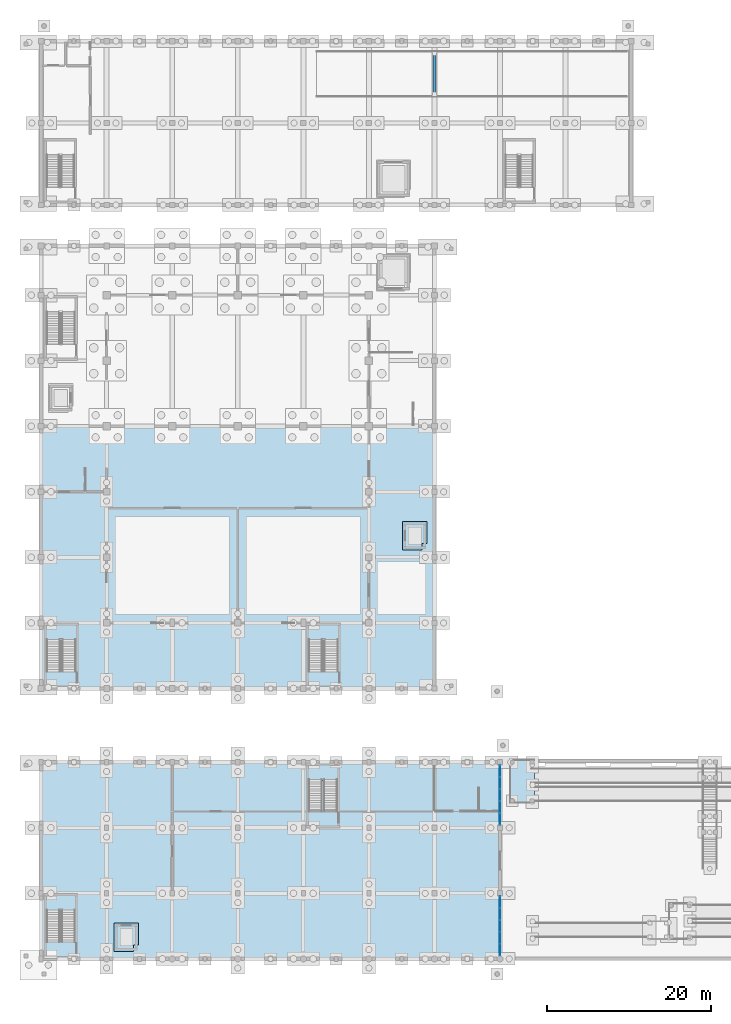
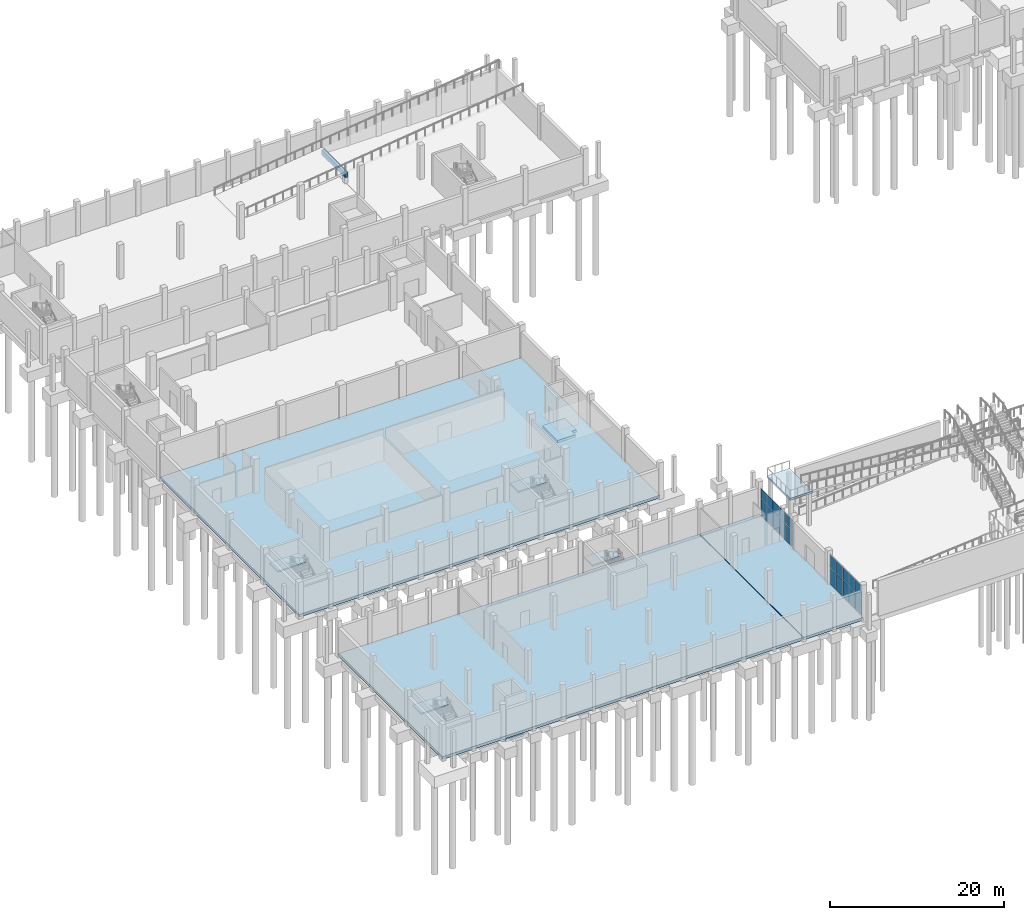
# One storey, part 22 of 52: 20 plates, 10 slabs, 1 beam, 7 elements without a shape of their own.
"""IFC4 building model written with IfcOpenShell, lengths in metres."""

from ifc_helpers import new_model, si_unit, direction, frame, origin, origin_2d, place, context, subcontext, project, spatial, polyline, rectangle, outline, extrude, material, layer, layer_set, material_profile, profile_set, type_object, element, aggregate, save


model = new_model("IFC4")

# Units and contexts
model_context = context("Model", 3, precision=1e-05, world=origin(), true_north=direction((0.0, 1.0)))
body_context = subcontext(model_context, "Body", "Model", "MODEL_VIEW")
ifc_project = project(units=[si_unit("LENGTHUNIT", "METRE"), si_unit("AREAUNIT", "SQUARE_METRE"), si_unit("VOLUMEUNIT", "CUBIC_METRE"), si_unit("PLANEANGLEUNIT", "RADIAN"), si_unit("MASSUNIT", "GRAM", prefix="KILO")], contexts=[model_context])

# Site, building, storey
site_placement = place(None, origin())
site = spatial("IfcSite", under=ifc_project, at=site_placement, CompositionType="ELEMENT")
building_placement = place(site_placement, origin())
building = spatial("IfcBuilding", under=site, at=building_placement, Name="Luwemba Playhouse", CompositionType="ELEMENT")
storey_placement = place(building_placement, frame((0.0, 0.0, -4.800048828125)))
storey = spatial("IfcBuildingStorey", under=building, at=storey_placement, Name="B1", CompositionType="ELEMENT", Elevation=-4.800048828125)

# Beam
ifc_material_1 = material(Name="Concrete C40/50", Category="concrete")
ifc_material_profile = material_profile(ifc_material_1, rectangle(XDim=0.39990234375, YDim=0.64990234375, at=origin_2d()))
ifc_profile_set = profile_set([ifc_material_profile], Name="Concrete C40/50")
beam_type = type_object("IfcBeamType", Name="BM-RB02", PredefinedType="BEAM", material=ifc_profile_set)
beam_placement = place(storey_placement, frame((52.0, 108.25, 1.195068359375), z_axis=(0.0, 1.0, 0.0), x_axis=(-1.0, 0.0, 0.0)))
element("IfcBeam", 1, at=beam_placement, inside=storey, type_object=beam_type, Name="B1 vehicle ramp Grid G support beam", PredefinedType="BEAM", context=body_context, shape_type="SweptSolid", body=[
    extrude(rectangle(XDim=0.39990234375, YDim=0.64990234375, at=origin_2d()), origin(), (0.0, 0.0, 1.0), 5.5),
])

# Curtain wall, plates
ifc_material_2 = material(Name="Solar-control double glazing", Category="glass")
curtain_wall_type_1 = type_object("IfcCurtainWallType", Name="CW-CW01", PredefinedType="USERDEFINED", material=ifc_material_2)
curtain_wall_1_placement = place(storey_placement, origin())
curtain_wall_1 = element("IfcCurtainWall", 2, at=curtain_wall_1_placement, inside=storey, type_object=curtain_wall_type_1, Name="B1 Sunken Forecourt curtain wall 001", ObjectType="UNITISED GLAZING", PredefinedType="USERDEFINED")
ifc_layer_1 = layer(ifc_material_2, 0.028076171875)
ifc_layer_set_1 = layer_set([ifc_layer_1], Name="Solar-control double glazing")
plate_type_1 = type_object("IfcPlateType", Name="CWP-P2", PredefinedType="CURTAIN_PANEL", material=ifc_layer_set_1)
plate_1_placement = place(storey_placement, frame((60.0, 25.923828125, 0.05517578125), z_axis=(0.0, 0.0, 1.0), x_axis=(0.0, -1.0, 0.0)))
plate_1 = element("IfcPlate", 3, at=plate_1_placement, type_object=plate_type_1, Name="CW01 panel 1.1", PredefinedType="CURTAIN_PANEL", context=body_context, shape_type="SweptSolid", body=[
    extrude(rectangle(XDim=1.37255859375, YDim=0.028076171875, at=origin_2d()), origin(), (0.0, 0.0, 1.0), 2.3173828125),
])
plate_2_placement = place(storey_placement, frame((60.0, 25.923828125, 2.427734375), z_axis=(0.0, 0.0, 1.0), x_axis=(0.0, -1.0, 0.0)))
plate_2 = element("IfcPlate", 4, at=plate_2_placement, type_object=plate_type_1, Name="CW01 panel 1.2", PredefinedType="CURTAIN_PANEL", context=body_context, shape_type="SweptSolid", body=[
    extrude(rectangle(XDim=1.37255859375, YDim=0.028076171875, at=origin_2d()), origin(), (0.0, 0.0, 1.0), 1.402587890625),
])
plate_3_placement = place(storey_placement, frame((60.0, 24.469970703125, 0.05517578125), z_axis=(0.0, 0.0, 1.0), x_axis=(0.0, -1.0, 0.0)))
plate_3 = element("IfcPlate", 5, at=plate_3_placement, type_object=plate_type_1, Name="CW01 panel 2.1", PredefinedType="CURTAIN_PANEL", context=body_context, shape_type="SweptSolid", body=[
    extrude(rectangle(XDim=1.405029296875, YDim=0.028076171875, at=origin_2d()), origin(), (0.0, 0.0, 1.0), 2.3173828125),
])
plate_4_placement = place(storey_placement, frame((60.0, 24.469970703125, 2.427734375), z_axis=(0.0, 0.0, 1.0), x_axis=(0.0, -1.0, 0.0)))
plate_4 = element("IfcPlate", 6, at=plate_4_placement, type_object=plate_type_1, Name="CW01 panel 2.2", PredefinedType="CURTAIN_PANEL", context=body_context, shape_type="SweptSolid", body=[
    extrude(rectangle(XDim=1.405029296875, YDim=0.028076171875, at=origin_2d()), origin(), (0.0, 0.0, 1.0), 1.402587890625),
])
plate_5_placement = place(storey_placement, frame((60.0, 23.0, 0.05517578125), z_axis=(0.0, 0.0, 1.0), x_axis=(0.0, -1.0, 0.0)))
plate_5 = element("IfcPlate", 7, at=plate_5_placement, type_object=plate_type_1, Name="CW01 panel 3.1", PredefinedType="CURTAIN_PANEL", context=body_context, shape_type="SweptSolid", body=[
    extrude(rectangle(XDim=1.405029296875, YDim=0.028076171875, at=origin_2d()), origin(), (0.0, 0.0, 1.0), 2.3173828125),
])
plate_6_placement = place(storey_placement, frame((60.0, 23.0, 2.427734375), z_axis=(0.0, 0.0, 1.0), x_axis=(0.0, -1.0, 0.0)))
plate_6 = element("IfcPlate", 8, at=plate_6_placement, type_object=plate_type_1, Name="CW01 panel 3.2", PredefinedType="CURTAIN_PANEL", context=body_context, shape_type="SweptSolid", body=[
    extrude(rectangle(XDim=1.405029296875, YDim=0.028076171875, at=origin_2d()), origin(), (0.0, 0.0, 1.0), 1.402587890625),
])
plate_7_placement = place(storey_placement, frame((60.0, 21.530029296875, 0.05517578125), z_axis=(0.0, 0.0, 1.0), x_axis=(0.0, -1.0, 0.0)))
plate_7 = element("IfcPlate", 9, at=plate_7_placement, type_object=plate_type_1, Name="CW01 panel 4.1", PredefinedType="CURTAIN_PANEL", context=body_context, shape_type="SweptSolid", body=[
    extrude(rectangle(XDim=1.405029296875, YDim=0.028076171875, at=origin_2d()), origin(), (0.0, 0.0, 1.0), 2.3173828125),
])
plate_8_placement = place(storey_placement, frame((60.0, 21.530029296875, 2.427734375), z_axis=(0.0, 0.0, 1.0), x_axis=(0.0, -1.0, 0.0)))
plate_8 = element("IfcPlate", 10, at=plate_8_placement, type_object=plate_type_1, Name="CW01 panel 4.2", PredefinedType="CURTAIN_PANEL", context=body_context, shape_type="SweptSolid", body=[
    extrude(rectangle(XDim=1.405029296875, YDim=0.028076171875, at=origin_2d()), origin(), (0.0, 0.0, 1.0), 1.402587890625),
])
plate_9_placement = place(storey_placement, frame((60.0, 20.076171875, 0.05517578125), z_axis=(0.0, 0.0, 1.0), x_axis=(0.0, -1.0, 0.0)))
plate_9 = element("IfcPlate", 11, at=plate_9_placement, type_object=plate_type_1, Name="CW01 panel 5.1", PredefinedType="CURTAIN_PANEL", context=body_context, shape_type="SweptSolid", body=[
    extrude(rectangle(XDim=1.37255859375, YDim=0.028076171875, at=origin_2d()), origin(), (0.0, 0.0, 1.0), 2.3173828125),
])
plate_10_placement = place(storey_placement, frame((60.0, 20.076171875, 2.427734375), z_axis=(0.0, 0.0, 1.0), x_axis=(0.0, -1.0, 0.0)))
plate_10 = element("IfcPlate", 12, at=plate_10_placement, type_object=plate_type_1, Name="CW01 panel 5.2", PredefinedType="CURTAIN_PANEL", context=body_context, shape_type="SweptSolid", body=[
    extrude(rectangle(XDim=1.37255859375, YDim=0.028076171875, at=origin_2d()), origin(), (0.0, 0.0, 1.0), 1.402587890625),
])
aggregate(curtain_wall_1, [plate_1, plate_2, plate_3, plate_4, plate_5, plate_6, plate_7, plate_8, plate_9, plate_10])

curtain_wall_type_2 = type_object("IfcCurtainWallType", Name="CW-CW02", PredefinedType="USERDEFINED", material=ifc_material_2)
curtain_wall_2_placement = place(storey_placement, origin())
curtain_wall_2 = element("IfcCurtainWall", 13, at=curtain_wall_2_placement, inside=storey, type_object=curtain_wall_type_2, Name="B1 Sunken Forecourt curtain wall 002", ObjectType="UNITISED GLAZING", PredefinedType="USERDEFINED")
ifc_layer_2 = layer(ifc_material_2, 0.031982421875)
ifc_layer_set_2 = layer_set([ifc_layer_2], Name="Solar-control double glazing")
plate_type_2 = type_object("IfcPlateType", Name="CWP-P3", PredefinedType="CURTAIN_PANEL", material=ifc_layer_set_2)
plate_11_placement = place(storey_placement, frame((60.0, 9.93115234375, 0.06494140625), z_axis=(0.0, 0.0, 1.0), x_axis=(0.0, -1.0, 0.0)))
plate_11 = element("IfcPlate", 14, at=plate_11_placement, type_object=plate_type_2, Name="CW02 panel 1.1", PredefinedType="CURTAIN_PANEL", context=body_context, shape_type="SweptSolid", body=[
    extrude(rectangle(XDim=1.37744140625, YDim=0.031982421875, at=origin_2d()), origin(), (0.0, 0.0, 1.0), 2.302490234375),
])
plate_12_placement = place(storey_placement, frame((60.0, 9.93115234375, 2.4326171875), z_axis=(0.0, 0.0, 1.0), x_axis=(0.0, -1.0, 0.0)))
plate_12 = element("IfcPlate", 15, at=plate_12_placement, type_object=plate_type_2, Name="CW02 panel 1.2", PredefinedType="CURTAIN_PANEL", context=body_context, shape_type="SweptSolid", body=[
    extrude(rectangle(XDim=1.37744140625, YDim=0.031982421875, at=origin_2d()), origin(), (0.0, 0.0, 1.0), 1.78759765625),
])
plate_13_placement = place(storey_placement, frame((60.0, 8.485107421875, 0.06494140625), z_axis=(0.0, 0.0, 1.0), x_axis=(0.0, -1.0, 0.0)))
plate_13 = element("IfcPlate", 16, at=plate_13_placement, type_object=plate_type_2, Name="CW02 panel 2.1", PredefinedType="CURTAIN_PANEL", context=body_context, shape_type="SweptSolid", body=[
    extrude(rectangle(XDim=1.405029296875, YDim=0.031982421875, at=origin_2d()), origin(), (0.0, 0.0, 1.0), 2.302490234375),
])
plate_14_placement = place(storey_placement, frame((60.0, 8.485107421875, 2.4326171875), z_axis=(0.0, 0.0, 1.0), x_axis=(0.0, -1.0, 0.0)))
plate_14 = element("IfcPlate", 17, at=plate_14_placement, type_object=plate_type_2, Name="CW02 panel 2.2", PredefinedType="CURTAIN_PANEL", context=body_context, shape_type="SweptSolid", body=[
    extrude(rectangle(XDim=1.405029296875, YDim=0.031982421875, at=origin_2d()), origin(), (0.0, 0.0, 1.0), 1.78759765625),
])
plate_15_placement = place(storey_placement, frame((60.0, 7.02490234375, 0.06494140625), z_axis=(0.0, 0.0, 1.0), x_axis=(0.0, -1.0, 0.0)))
plate_15 = element("IfcPlate", 18, at=plate_15_placement, type_object=plate_type_2, Name="CW02 panel 3.1", PredefinedType="CURTAIN_PANEL", context=body_context, shape_type="SweptSolid", body=[
    extrude(rectangle(XDim=1.405029296875, YDim=0.031982421875, at=origin_2d()), origin(), (0.0, 0.0, 1.0), 2.302490234375),
])
plate_16_placement = place(storey_placement, frame((60.0, 7.02490234375, 2.4326171875), z_axis=(0.0, 0.0, 1.0), x_axis=(0.0, -1.0, 0.0)))
plate_16 = element("IfcPlate", 19, at=plate_16_placement, type_object=plate_type_2, Name="CW02 panel 3.2", PredefinedType="CURTAIN_PANEL", context=body_context, shape_type="SweptSolid", body=[
    extrude(rectangle(XDim=1.405029296875, YDim=0.031982421875, at=origin_2d()), origin(), (0.0, 0.0, 1.0), 1.78759765625),
])
plate_17_placement = place(storey_placement, frame((60.0, 5.56494140625, 0.06494140625), z_axis=(0.0, 0.0, 1.0), x_axis=(0.0, -1.0, 0.0)))
plate_17 = element("IfcPlate", 20, at=plate_17_placement, type_object=plate_type_2, Name="CW02 panel 4.1", PredefinedType="CURTAIN_PANEL", context=body_context, shape_type="SweptSolid", body=[
    extrude(rectangle(XDim=1.405029296875, YDim=0.031982421875, at=origin_2d()), origin(), (0.0, 0.0, 1.0), 2.302490234375),
])
plate_18_placement = place(storey_placement, frame((60.0, 5.56494140625, 2.4326171875), z_axis=(0.0, 0.0, 1.0), x_axis=(0.0, -1.0, 0.0)))
plate_18 = element("IfcPlate", 21, at=plate_18_placement, type_object=plate_type_2, Name="CW02 panel 4.2", PredefinedType="CURTAIN_PANEL", context=body_context, shape_type="SweptSolid", body=[
    extrude(rectangle(XDim=1.405029296875, YDim=0.031982421875, at=origin_2d()), origin(), (0.0, 0.0, 1.0), 1.78759765625),
])
plate_19_placement = place(storey_placement, frame((60.0, 4.11865234375, 0.06494140625), z_axis=(0.0, 0.0, 1.0), x_axis=(0.0, -1.0, 0.0)))
plate_19 = element("IfcPlate", 22, at=plate_19_placement, type_object=plate_type_2, Name="CW02 panel 5.1", PredefinedType="CURTAIN_PANEL", context=body_context, shape_type="SweptSolid", body=[
    extrude(rectangle(XDim=1.37744140625, YDim=0.031982421875, at=origin_2d()), origin(), (0.0, 0.0, 1.0), 2.302490234375),
])
plate_20_placement = place(storey_placement, frame((60.0, 4.11865234375, 2.4326171875), z_axis=(0.0, 0.0, 1.0), x_axis=(0.0, -1.0, 0.0)))
plate_20 = element("IfcPlate", 23, at=plate_20_placement, type_object=plate_type_2, Name="CW02 panel 5.2", PredefinedType="CURTAIN_PANEL", context=body_context, shape_type="SweptSolid", body=[
    extrude(rectangle(XDim=1.37744140625, YDim=0.031982421875, at=origin_2d()), origin(), (0.0, 0.0, 1.0), 1.78759765625),
])
aggregate(curtain_wall_2, [plate_11, plate_12, plate_13, plate_14, plate_15, plate_16, plate_17, plate_18, plate_19, plate_20])

# Slabs
ifc_material_3 = material(Name="Concrete C32/40", Category="concrete")
ifc_layer_3 = layer(ifc_material_3, 0.3798828125)
ifc_layer_set_3 = layer_set([ifc_layer_3], Name="Concrete C32/40")
slab_type_1 = type_object("IfcSlabType", Name="SLB-BASE-380", PredefinedType="BASESLAB", material=ifc_layer_set_3)
slab_1_placement = place(storey_placement, frame((0.0, 0.0, -0.3798828125)))
element("IfcSlab", 24, at=slab_1_placement, inside=storey, type_object=slab_type_1, Name="B1 V1 structural floor slab", PredefinedType="BASESLAB", context=body_context, shape_type="SweptSolid", body=[
    extrude(outline(polyline([(4.0, 68.0), (52.0, 68.0), (52.0, 36.0), (4.0, 36.0), (4.0, 68.0)])), origin(), (0.0, 0.0, 1.0), 0.3798828125),
])
slab_2_placement = place(storey_placement, frame((0.0, 0.0, -0.3798828125)))
element("IfcSlab", 25, at=slab_2_placement, inside=storey, type_object=slab_type_1, Name="B1 V5W structural floor slab", PredefinedType="BASESLAB", context=body_context, shape_type="SweptSolid", body=[
    extrude(outline(polyline([(4.0, 3.0), (4.0, 27.0), (51.969970703125, 27.0), (51.969970703125, 3.0), (4.0, 3.0)])), origin(), (0.0, 0.0, 1.0), 0.3798828125),
])
slab_3_placement = place(storey_placement, frame((0.0, 0.0, -0.3798828125)))
element("IfcSlab", 26, at=slab_3_placement, inside=storey, type_object=slab_type_1, Name="B1 V5W structural floor slab-MJ", PredefinedType="BASESLAB", context=body_context, shape_type="SweptSolid", body=[
    extrude(outline(polyline([(60.0, 27.0), (60.0, 3.0), (52.030029296875, 3.0), (52.030029296875, 27.0), (60.0, 27.0)])), origin(), (0.0, 0.0, 1.0), 0.3798828125),
])
slab_4_placement = place(storey_placement, frame((0.0, 0.0, -1.579833984375)))
element("IfcSlab", 27, at=slab_4_placement, inside=storey, type_object=slab_type_1, Name="Lift LF-P1 pit slab", PredefinedType="BASESLAB", context=body_context, shape_type="SweptSolid", body=[
    extrude(outline(polyline([(48.10009765625, 52.89990234375), (50.5, 52.89990234375), (50.5, 53.669921875), (51.10009765625, 53.669921875), (51.10009765625, 56.39990234375), (48.10009765625, 56.39990234375), (48.10009765625, 52.89990234375)])), origin(), (0.0, 0.0, 1.0), 0.3798828125),
])
slab_5_placement = place(storey_placement, frame((0.0, 0.0, -1.579833984375)))
element("IfcSlab", 28, at=slab_5_placement, inside=storey, type_object=slab_type_1, Name="Lift LF-P4 pit slab", PredefinedType="BASESLAB", context=body_context, shape_type="SweptSolid", body=[
    extrude(outline(polyline([(12.89990234375, 3.89990234375), (15.300048828125, 3.89990234375), (15.300048828125, 4.669921875), (15.89990234375, 4.669921875), (15.89990234375, 7.39990234375), (12.89990234375, 7.39990234375), (12.89990234375, 3.89990234375)])), origin(), (0.0, 0.0, 1.0), 0.3798828125),
])

# Stair, slab
stair_type_1 = type_object("IfcStairType", Name="STR-DL-01", PredefinedType="HALF_TURN_STAIR", material=ifc_material_1)
stair_1_placement = place(storey_placement, origin())
stair_1 = element("IfcStair", 29, at=stair_1_placement, inside=storey, type_object=stair_type_1, Name="B1 Main Auditorium South-West Escape Stair", PredefinedType="HALF_TURN_STAIR")
ifc_layer_4 = layer(ifc_material_1, 0.215087890625)
ifc_layer_set_4 = layer_set([ifc_layer_4], Name="Concrete C40/50")
slab_type_2 = type_object("IfcSlabType", Name="SLB-LND-215", PredefinedType="LANDING", material=ifc_layer_set_4)
slab_6_placement = place(storey_placement, frame((0.0, 0.0, 2.199951171875)))
slab_6 = element("IfcSlab", 30, at=slab_6_placement, type_object=slab_type_2, Name="ST-01 landing 1", PredefinedType="LANDING", context=body_context, shape_type="SweptSolid", body=[
    extrude(outline(polyline([(8.389892578125, 41.820068359375), (4.510009765625, 41.820068359375), (4.510009765625, 43.800048828125), (8.389892578125, 43.800048828125), (8.389892578125, 41.820068359375)])), origin(), (0.0, 0.0, 1.0), 0.2001953125),
])
aggregate(stair_1, [slab_6])

stair_2_placement = place(storey_placement, origin())
stair_2 = element("IfcStair", 31, at=stair_2_placement, inside=storey, type_object=stair_type_1, Name="B1 Main Auditorium South-East Escape Stair", PredefinedType="HALF_TURN_STAIR")
slab_7_placement = place(storey_placement, frame((0.0, 0.0, 2.199951171875)))
slab_7 = element("IfcSlab", 32, at=slab_7_placement, type_object=slab_type_2, Name="ST-02 landing 1", PredefinedType="LANDING", context=body_context, shape_type="SweptSolid", body=[
    extrude(outline(polyline([(40.389892578125, 41.820068359375), (36.510009765625, 41.820068359375), (36.510009765625, 43.800048828125), (40.389892578125, 43.800048828125), (40.389892578125, 41.820068359375)])), origin(), (0.0, 0.0, 1.0), 0.2001953125),
])
aggregate(stair_2, [slab_7])

stair_type_2 = type_object("IfcStairType", Name="STR-DL-03", PredefinedType="HALF_TURN_STAIR", material=ifc_material_1)
stair_3_placement = place(storey_placement, origin())
stair_3 = element("IfcStair", 33, at=stair_3_placement, inside=storey, type_object=stair_type_2, Name="B1 Grand Foyer South-West Escape Stair", PredefinedType="HALF_TURN_STAIR")
slab_8_placement = place(storey_placement, frame((0.0, 0.0, 2.199951171875)))
slab_8 = element("IfcSlab", 34, at=slab_8_placement, type_object=slab_type_2, Name="ST-04 landing 1", PredefinedType="LANDING", context=body_context, shape_type="SweptSolid", body=[
    extrude(outline(polyline([(8.2900390625, 8.820068359375), (4.510009765625, 8.820068359375), (4.510009765625, 10.800048828125), (8.2900390625, 10.800048828125), (8.2900390625, 8.820068359375)])), origin(), (0.0, 0.0, 1.0), 0.2001953125),
])
aggregate(stair_3, [slab_8])

stair_4_placement = place(storey_placement, origin())
stair_4 = element("IfcStair", 35, at=stair_4_placement, inside=storey, type_object=stair_type_2, Name="B1 Grand Foyer North-East Escape Stair", PredefinedType="HALF_TURN_STAIR")
slab_9_placement = place(storey_placement, frame((0.0, 0.0, 2.199951171875)))
slab_9 = element("IfcSlab", 36, at=slab_9_placement, type_object=slab_type_2, Name="ST-13 landing 1", PredefinedType="LANDING", context=body_context, shape_type="SweptSolid", body=[
    extrude(outline(polyline([(40.2900390625, 24.739990234375), (36.510009765625, 24.739990234375), (36.510009765625, 26.719970703125), (40.2900390625, 26.719970703125), (40.2900390625, 24.739990234375)])), origin(), (0.0, 0.0, 1.0), 0.2001953125),
])
aggregate(stair_4, [slab_9])

# Ramp, slab
ramp_type = type_object("IfcRampType", Name="RMP-ACC", PredefinedType="STRAIGHT_RUN_RAMP", material=ifc_material_3)
ramp_placement = place(storey_placement, origin())
ramp = element("IfcRamp", 37, at=ramp_placement, inside=storey, type_object=ramp_type, Name="Accessible pedestrian ramp RMP-ACC-FC2", PredefinedType="STRAIGHT_RUN_RAMP")
ifc_layer_5 = layer(ifc_material_3, 0.300048828125)
ifc_layer_set_5 = layer_set([ifc_layer_5], Name="Concrete C32/40")
slab_type_3 = type_object("IfcSlabType", Name="SLB-LND-300", PredefinedType="LANDING", material=ifc_layer_set_5)
slab_10_placement = place(storey_placement, frame((0.0, 0.0, 4.5)))
slab_10 = element("IfcSlab", 38, at=slab_10_placement, type_object=slab_type_3, Name="Accessible ramp landing RMP-ACC-FC2", PredefinedType="LANDING", context=body_context, shape_type="SweptSolid", body=[
    extrude(outline(polyline([(61.199951171875, 22.0), (64.199951171875, 22.0), (64.199951171875, 27.300048828125), (61.199951171875, 27.300048828125), (61.199951171875, 22.0)])), origin(), (0.0, 0.0, 1.0), 0.300048828125),
])
aggregate(ramp, [slab_10])

save(model, "model.ifc")
